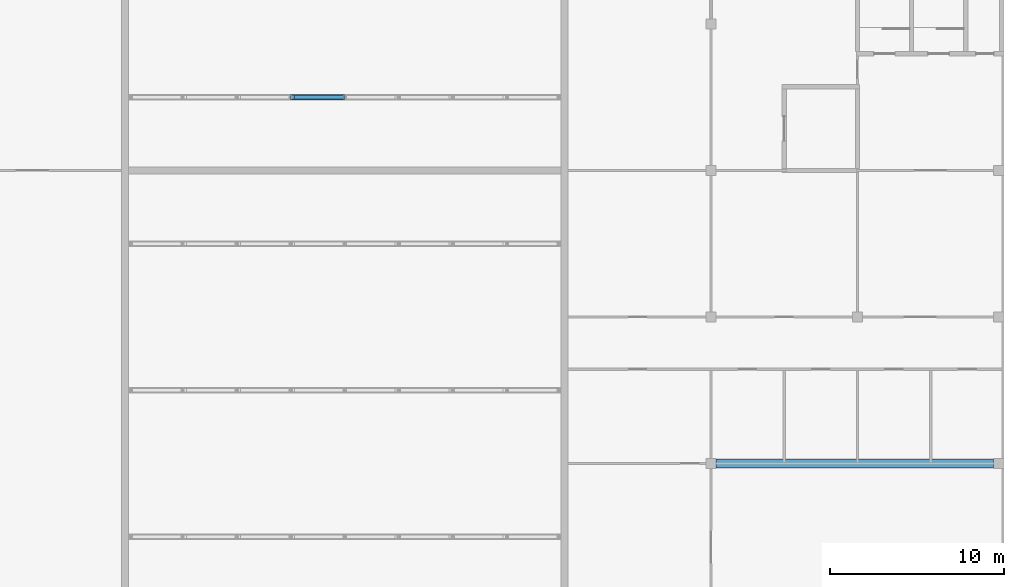
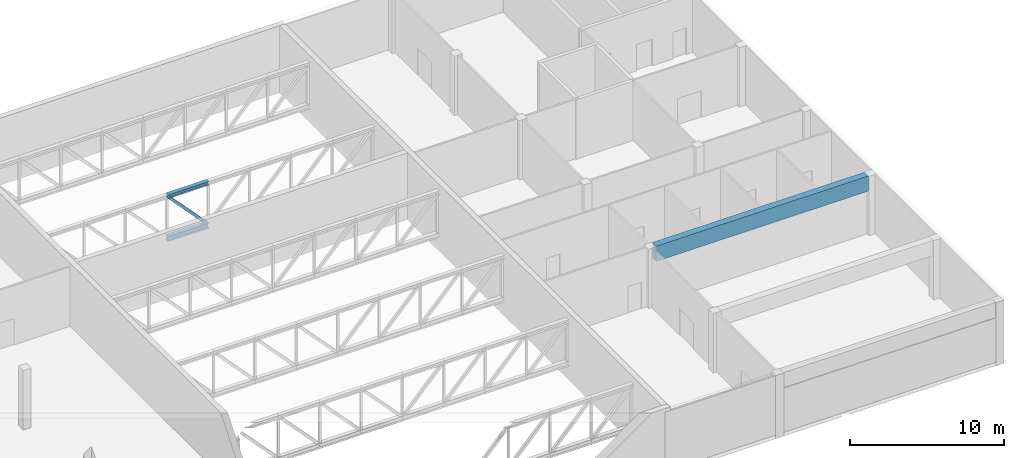
# One storey, part 11 of 26: 3 members, 1 beam.
"""IFC4 building model written with IfcOpenShell, lengths in metres."""

from ifc_helpers import new_model, si_unit, direction, frame, origin, origin_2d, place, context, subcontext, project, spatial, rectangle, hollow_rectangle, i_section, extrude, material, material_profile, profile_set, type_object, element, save


model = new_model("IFC4")

# Units and contexts
model_context = context("Model", 3, precision=1e-05, world=origin(), true_north=direction((0.0, 1.0)))
body_context = subcontext(model_context, "Body", "Model", "MODEL_VIEW")
ifc_project = project(units=[si_unit("LENGTHUNIT", "METRE"), si_unit("AREAUNIT", "SQUARE_METRE"), si_unit("VOLUMEUNIT", "CUBIC_METRE"), si_unit("PLANEANGLEUNIT", "RADIAN"), si_unit("MASSUNIT", "GRAM", prefix="KILO")], contexts=[model_context])

# Site, building, storey
site_placement = place(None, origin())
site = spatial("IfcSite", under=ifc_project, at=site_placement, CompositionType="ELEMENT")
building_placement = place(site_placement, origin())
building = spatial("IfcBuilding", under=site, at=building_placement, Name="Candeia Pilgrim Tower and Theatre", CompositionType="ELEMENT")
storey_placement = place(building_placement, frame((0.0, 0.0, 34.0)))
storey = spatial("IfcBuildingStorey", under=building, at=storey_placement, Name="L05", CompositionType="ELEMENT", Elevation=34.0)

# Beam
ifc_material_1 = material(Name="Concrete C35/45", Category="concrete")
ifc_material_profile_1 = material_profile(ifc_material_1, rectangle(XDim=0.5, YDim=1.199951171875, at=origin_2d()))
ifc_profile_set_1 = profile_set([ifc_material_profile_1], Name="Concrete C35/45")
beam_type = type_object("IfcBeamType", Name="Theatre beam 500x1200", PredefinedType="BEAM", material=ifc_profile_set_1)
beam_placement = place(storey_placement, frame((226.699951171875, 82.800048828125, 4.10009765625), z_axis=(1.0, 0.0, 0.0), x_axis=(0.0, 1.0, 0.0)))
element("IfcBeam", 1, at=beam_placement, inside=storey, type_object=beam_type, Name="Studio beam L05 82", PredefinedType="BEAM", context=body_context, shape_type="SweptSolid", body=[
    extrude(rectangle(XDim=0.5, YDim=1.199951171875, at=origin_2d()), origin(), (0.0, 0.0, 1.0), 15.900146484375),
])

# Members
ifc_material_2 = material(Name="Steel S355", Category="steel")
ifc_material_profile_2 = material_profile(ifc_material_2, i_section(OverallWidth=0.300048828125, OverallDepth=0.300048828125, WebThickness=0.010986328125, FlangeThickness=0.01904296875, at=origin_2d()))
ifc_profile_set_2 = profile_set([ifc_material_profile_2], Name="Steel S355")
member_type_1 = type_object("IfcMemberType", Name="Truss chord HEB 300", PredefinedType="CHORD", material=ifc_profile_set_2)
member_1_placement = place(storey_placement, frame((202.300048828125, 103.800048828125, 4.35009765625), z_axis=(1.0, 0.0, 0.0), x_axis=(0.0, 1.0, 0.0)))
element("IfcMember", 2, at=member_1_placement, inside=storey, type_object=member_type_1, Name="Truss 5 top chord 4", PredefinedType="CHORD", context=body_context, shape_type="SweptSolid", body=[
    extrude(i_section(OverallWidth=0.300048828125, OverallDepth=0.300048828125, WebThickness=0.010986328125, FlangeThickness=0.01904296875, at=origin_2d()), origin(), (0.0, 0.0, 1.0), 3.099853515625),
])
ifc_material_profile_3 = material_profile(ifc_material_2, i_section(OverallWidth=0.300048828125, OverallDepth=0.39990234375, WebThickness=0.013427734375, FlangeThickness=0.02392578125, at=origin_2d()))
ifc_profile_set_3 = profile_set([ifc_material_profile_3], Name="Steel S355")
member_type_2 = type_object("IfcMemberType", Name="Truss chord HEB 400", PredefinedType="CHORD", material=ifc_profile_set_3)
member_2_placement = place(storey_placement, frame((202.300048828125, 103.800048828125, 1.0), z_axis=(1.0, 0.0, 0.0), x_axis=(0.0, 1.0, 0.0)))
element("IfcMember", 3, at=member_2_placement, inside=storey, type_object=member_type_2, Name="Truss 5 bottom chord 4", PredefinedType="CHORD", context=body_context, shape_type="SweptSolid", body=[
    extrude(i_section(OverallWidth=0.300048828125, OverallDepth=0.39990234375, WebThickness=0.013427734375, FlangeThickness=0.02392578125, at=origin_2d()), origin(), (0.0, 0.0, 1.0), 3.099853515625),
])
ifc_material_profile_4 = material_profile(ifc_material_2, hollow_rectangle(XDim=0.199951171875, YDim=0.199951171875, WallThickness=0.010009765625, at=origin_2d()))
ifc_profile_set_4 = profile_set([ifc_material_profile_4], Name="Steel S355")
member_type_3 = type_object("IfcMemberType", Name="Truss diagonal SHS 200x200x10", PredefinedType="BRACE", material=ifc_profile_set_4)
member_3_placement = place(storey_placement, frame((202.449951171875, 103.800048828125, 4.199951171875), z_axis=(0.682324609438, 0.0, -0.731049333052), x_axis=(0.0, 1.0, 0.0)))
element("IfcMember", 4, at=member_3_placement, inside=storey, type_object=member_type_3, Name="Truss 5 diagonal 4", PredefinedType="BRACE", context=body_context, shape_type="SweptSolid", body=[
    extrude(hollow_rectangle(XDim=0.199951171875, YDim=0.199951171875, WallThickness=0.010009765625, at=origin_2d()), origin(), (0.0, 0.0, 1.0), 4.103759765625),
])

save(model, "model.ifc")
